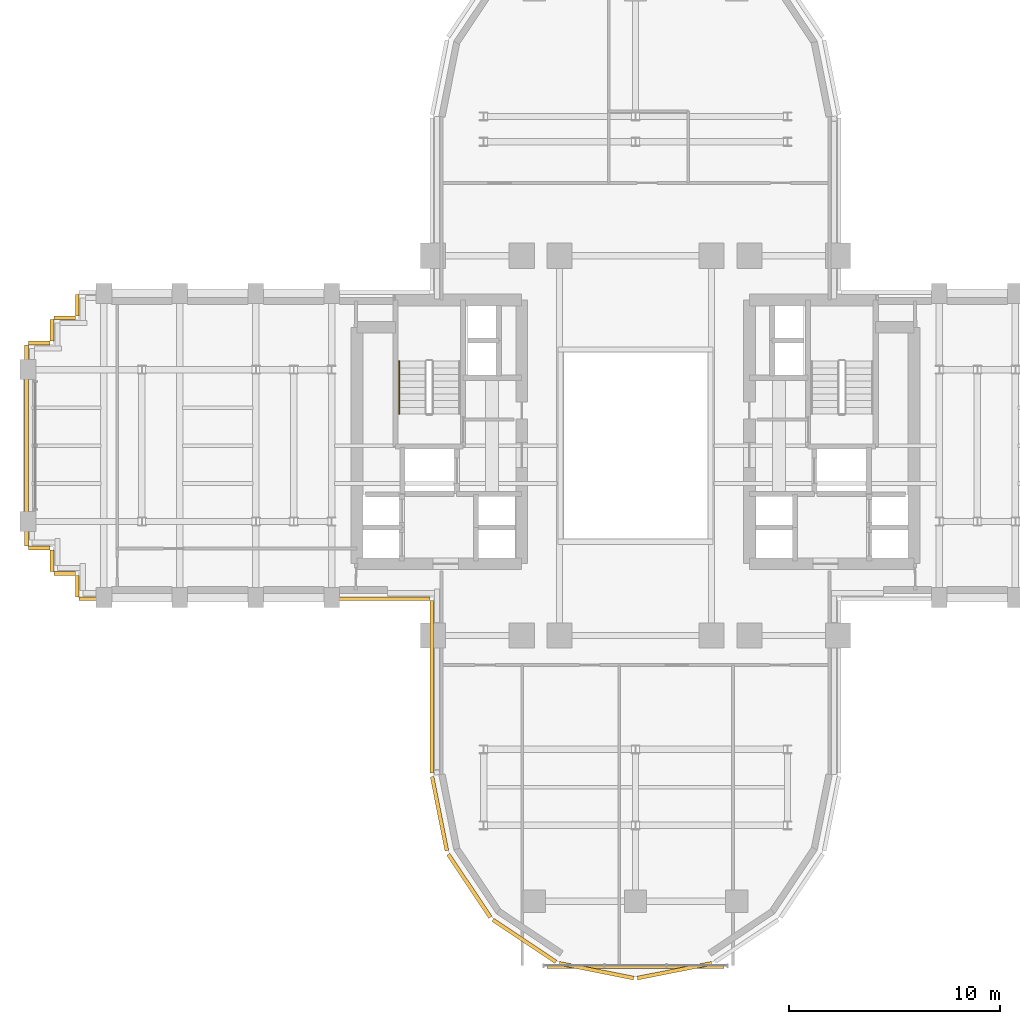
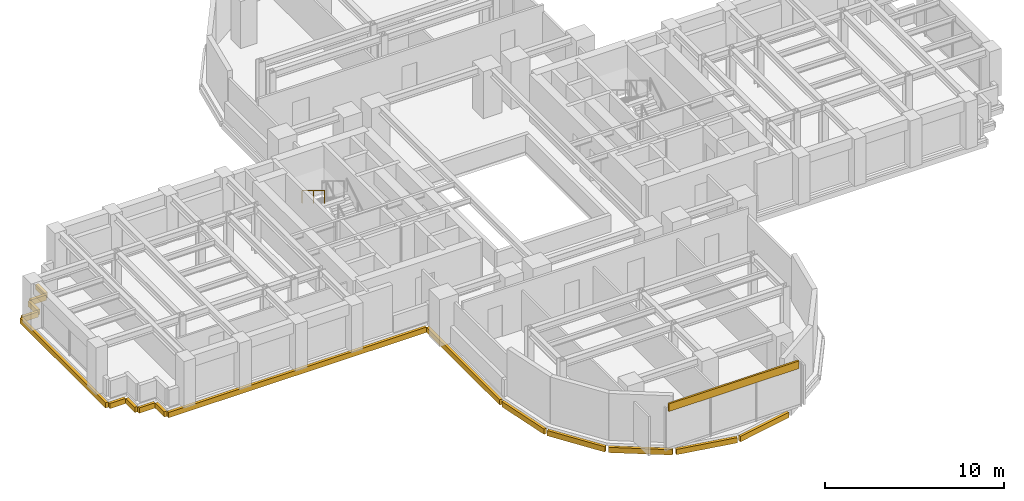
# One storey, part 13 of 16: 17 coverings, 1 railing.
"""IFC4 building model written with IfcOpenShell, lengths in metres."""

from ifc_helpers import new_model, si_unit, direction, frame, origin, origin_2d, place, context, subcontext, project, spatial, rectangle, extrude, source, transform, mapped, material, layer, layer_set, type_object, element, save


model = new_model("IFC4")

# Units and contexts
model_context = context("Model", 3, precision=1e-05, world=origin(), true_north=direction((0.0, 1.0)))
body_context = subcontext(model_context, "Body", "Model", "MODEL_VIEW")
ifc_project = project(units=[si_unit("LENGTHUNIT", "METRE"), si_unit("AREAUNIT", "SQUARE_METRE"), si_unit("VOLUMEUNIT", "CUBIC_METRE"), si_unit("PLANEANGLEUNIT", "RADIAN"), si_unit("MASSUNIT", "GRAM", prefix="KILO")], contexts=[model_context])

# Site, building, storey
site_placement = place(None, origin())
site = spatial("IfcSite", under=ifc_project, at=site_placement, CompositionType="ELEMENT")
building_placement = place(site_placement, origin())
building = spatial("IfcBuilding", under=site, at=building_placement, Name="Keilestroom Media Tower", CompositionType="ELEMENT")
storey_placement = place(building_placement, frame((0.0, 0.0, 74.800048828125)))
storey = spatial("IfcBuildingStorey", under=building, at=storey_placement, Name="L19", CompositionType="ELEMENT", Elevation=74.800048828125)

# Railing
ifc_material_1 = material(Name="Brushed Stainless Steel 1.4301", Category="steel")
railing_type = type_object("IfcRailingType", Name="Stair-Pitch-Handrail-920", PredefinedType="HANDRAIL", material=ifc_material_1)
railing_placement = place(storey_placement, frame((-11.2099609375, 3.99609375, 1.888916015625)))
element("IfcRailing", 1, at=railing_placement, inside=storey, type_object=railing_type, Name="L19 ST-1 stair handrail 2", PredefinedType="HANDRAIL", context=body_context, shape_type="SweptSolid", body=[
    extrude(rectangle(XDim=0.048095703125, YDim=0.048095703125, at=origin_2d()), frame((0.0, 0.0, 0.8759765625), z_axis=(0.0, -0.855470815493, 0.517851024754), x_axis=(1.0, 0.0, 0.0)), (0.0, 0.0, 1.0), 2.917724609375),
    extrude(rectangle(XDim=0.0419921875, YDim=0.0419921875, at=origin_2d()), origin(), (0.0, 0.0, 1.0), 0.84375),
    extrude(rectangle(XDim=0.0419921875, YDim=0.0419921875, at=origin_2d()), frame((0.0, -1.248046875, 0.75537109375)), (0.0, 0.0, 1.0), 0.84375),
    extrude(rectangle(XDim=0.0419921875, YDim=0.0419921875, at=origin_2d()), frame((0.0, -2.49609375, 1.510986328125)), (0.0, 0.0, 1.0), 0.84375),
])

# Coverings
ifc_material_2 = material(Name="Precast concrete C40/50", Category="concrete")
ifc_layer = layer(ifc_material_2, 0.1201171875)
ifc_layer_set = layer_set([ifc_layer], Name="Precast concrete C40/50")
covering_type = type_object("IfcCoveringType", Name="Exterior-Precast-Spandrel-Cladding-Panel-120", PredefinedType="CLADDING", material=ifc_layer_set)
shared_shape_1 = source(origin(), body_context, "Body", "SweptSolid", [
    extrude(rectangle(XDim=8.39990234375, YDim=0.1201171875, at=origin_2d()), origin(), (0.0, 0.0, 1.0), 0.52001953125),
])
covering_1_placement = place(storey_placement, frame((0.0, -24.719970703125, 2.68994140625), z_axis=(0.0, 0.0, 1.0), x_axis=(1.0, 0.0, 0.0)))
element("IfcCovering", 2, at=covering_1_placement, inside=storey, type_object=covering_type, Name="L19 Precast Spandrel Cladding S", PredefinedType="CLADDING", context=body_context, shape_type="MappedRepresentation", body=[
    mapped(shared_shape_1, transform((0.0, 0.0, 0.0), x_axis=(1.0, 0.0, 0.0), y_axis=(0.0, 1.0, 0.0), z_axis=(0.0, 0.0, 1.0), scale=1.0)),
])
shared_shape_2 = source(origin(), body_context, "Body", "SweptSolid", [
    extrude(rectangle(XDim=1.02001953125, YDim=0.179931640625, at=origin_2d()), origin(), (0.0, 0.0, 1.0), 0.360107421875),
])
for number, where, z_axis, x_axis, name in (
    (3, (-26.4599609375, -6.659912109375, -0.5400390625), (0.0, 0.0, 1.0), (0.0, 1.0, 0.0), "L19 Precast Slab-Edge Fascia Cornice 17"),
    (4, (-27.06005859375, -6.06005859375, -0.5400390625), (0.0, 0.0, 1.0), (-1.0, 0.0, 0.0), "L19 Precast Slab-Edge Fascia Cornice 18"),
    (5, (-27.659912109375, -5.4599609375, -0.5400390625), (0.0, 0.0, 1.0), (0.0, 1.0, 0.0), "L19 Precast Slab-Edge Fascia Cornice 19"),
    (6, (-28.260009765625, -4.860107421875, -0.5400390625), (0.0, 0.0, 1.0), (-1.0, 0.0, 0.0), "L19 Precast Slab-Edge Fascia Cornice 20"),
    (7, (-28.260009765625, 4.860107421875, -0.5400390625), (0.0, 0.0, 1.0), (1.0, 0.0, 0.0), "L19 Precast Slab-Edge Fascia Cornice 22"),
    (8, (-27.659912109375, 5.4599609375, -0.5400390625), (0.0, 0.0, 1.0), (0.0, 1.0, 0.0), "L19 Precast Slab-Edge Fascia Cornice 23"),
    (9, (-27.06005859375, 6.06005859375, -0.5400390625), (0.0, 0.0, 1.0), (1.0, 0.0, 0.0), "L19 Precast Slab-Edge Fascia Cornice 24"),
    (10, (-26.4599609375, 6.659912109375, -0.5400390625), (0.0, 0.0, 1.0), (0.0, 1.0, 0.0), "L19 Precast Slab-Edge Fascia Cornice 25"),
):
    element("IfcCovering", number, at=place(storey_placement, frame(where, z_axis=z_axis, x_axis=x_axis)), inside=storey, type_object=covering_type, Name=name, PredefinedType="CLADDING", context=body_context, shape_type="MappedRepresentation", body=[
        mapped(shared_shape_2, transform((0.0, 0.0, 0.0), x_axis=(1.0, 0.0, 0.0), y_axis=(0.0, 1.0, 0.0), z_axis=(0.0, 0.0, 1.0), scale=1.0)),
    ])
shared_shape_3 = source(origin(), body_context, "Body", "SweptSolid", [
    extrude(rectangle(XDim=16.6201171875, YDim=0.179931640625, at=origin_2d()), origin(), (0.0, 0.0, 1.0), 0.360107421875),
])
covering_2_placement = place(storey_placement, frame((-18.06005859375, -7.260009765625, -0.5400390625), z_axis=(0.0, 0.0, 1.0), x_axis=(-1.0, 0.0, 0.0)))
element("IfcCovering", 11, at=covering_2_placement, inside=storey, type_object=covering_type, Name="L19 Precast Slab-Edge Fascia Cornice 16", PredefinedType="CLADDING", context=body_context, shape_type="MappedRepresentation", body=[
    mapped(shared_shape_3, transform((0.0, 0.0, 0.0), x_axis=(1.0, 0.0, 0.0), y_axis=(0.0, 1.0, 0.0), z_axis=(0.0, 0.0, 1.0), scale=1.0)),
])
shared_shape_4 = source(origin(), body_context, "Body", "SweptSolid", [
    extrude(rectangle(XDim=8.166015625, YDim=0.179931640625, at=origin_2d()), origin(), (0.0, 0.0, 1.0), 0.360107421875),
])
covering_3_placement = place(storey_placement, frame((-9.659912109375, -11.43310546875, -0.5400390625), z_axis=(0.0, 0.0, 1.0), x_axis=(0.0, 1.0, 0.0)))
element("IfcCovering", 12, at=covering_3_placement, inside=storey, type_object=covering_type, Name="L19 Precast Slab-Edge Fascia Cornice 15", PredefinedType="CLADDING", context=body_context, shape_type="MappedRepresentation", body=[
    mapped(shared_shape_4, transform((0.0, 0.0, 0.0), x_axis=(1.0, 0.0, 0.0), y_axis=(0.0, 1.0, 0.0), z_axis=(0.0, 0.0, 1.0), scale=1.0)),
])
shared_shape_5 = source(origin(), body_context, "Body", "SweptSolid", [
    extrude(rectangle(XDim=3.58349609375, YDim=0.179931640625, at=origin_2d()), origin(), (0.0, 0.0, 1.0), 0.360107421875),
])
covering_4_placement = place(storey_placement, frame((-9.29296875, -17.45166015625, -0.5400390625), z_axis=(0.0, 0.0, 1.0), x_axis=(-0.195098880975, 0.980783577882, 0.0)))
element("IfcCovering", 13, at=covering_4_placement, inside=storey, type_object=covering_type, Name="L19 Precast Slab-Edge Fascia Cornice 14", PredefinedType="CLADDING", context=body_context, shape_type="MappedRepresentation", body=[
    mapped(shared_shape_5, transform((0.0, 0.0, 0.0), x_axis=(1.0, 0.0, 0.0), y_axis=(0.0, 1.0, 0.0), z_axis=(0.0, 0.0, 1.0), scale=1.0)),
])
shared_shape_6 = source(origin(), body_context, "Body", "SweptSolid", [
    extrude(rectangle(XDim=3.589599609375, YDim=0.179931640625, at=origin_2d()), origin(), (0.0, 0.0, 1.0), 0.360107421875),
])
for number, where, z_axis, x_axis, name in (
    (14, (1.8486328125, -24.893310546875, -0.5400390625), (0.0, 0.0, 1.0), (-0.980783577882, -0.195098880975, 0.0), "L19 Precast Slab-Edge Fascia Cornice 10"),
    (15, (-1.8486328125, -24.893310546875, -0.5400390625), (0.0, 0.0, 1.0), (-0.980783577882, 0.195098880975, 0.0), "L19 Precast Slab-Edge Fascia Cornice 11"),
    (16, (-5.264404296875, -23.478515625, -0.5400390625), (0.0, 0.0, 1.0), (-0.831466703332, 0.555574586577, 0.0), "L19 Precast Slab-Edge Fascia Cornice 12"),
    (17, (-7.878662109375, -20.8642578125, -0.5400390625), (0.0, 0.0, 1.0), (-0.555574586577, 0.831466703332, 0.0), "L19 Precast Slab-Edge Fascia Cornice 13"),
):
    element("IfcCovering", number, at=place(storey_placement, frame(where, z_axis=z_axis, x_axis=x_axis)), inside=storey, type_object=covering_type, Name=name, PredefinedType="CLADDING", context=body_context, shape_type="MappedRepresentation", body=[
        mapped(shared_shape_6, transform((0.0, 0.0, 0.0), x_axis=(1.0, 0.0, 0.0), y_axis=(0.0, 1.0, 0.0), z_axis=(0.0, 0.0, 1.0), scale=1.0)),
    ])
shared_shape_7 = source(origin(), body_context, "Body", "SweptSolid", [
    extrude(rectangle(XDim=9.5400390625, YDim=0.179931640625, at=origin_2d()), origin(), (0.0, 0.0, 1.0), 0.360107421875),
])
covering_5_placement = place(storey_placement, frame((-28.860107421875, 0.0, -0.5400390625), z_axis=(0.0, 0.0, 1.0), x_axis=(0.0, 1.0, 0.0)))
element("IfcCovering", 18, at=covering_5_placement, inside=storey, type_object=covering_type, Name="L19 Precast Slab-Edge Fascia Cornice 21", PredefinedType="CLADDING", context=body_context, shape_type="MappedRepresentation", body=[
    mapped(shared_shape_7, transform((0.0, 0.0, 0.0), x_axis=(1.0, 0.0, 0.0), y_axis=(0.0, 1.0, 0.0), z_axis=(0.0, 0.0, 1.0), scale=1.0)),
])

save(model, "model.ifc")
